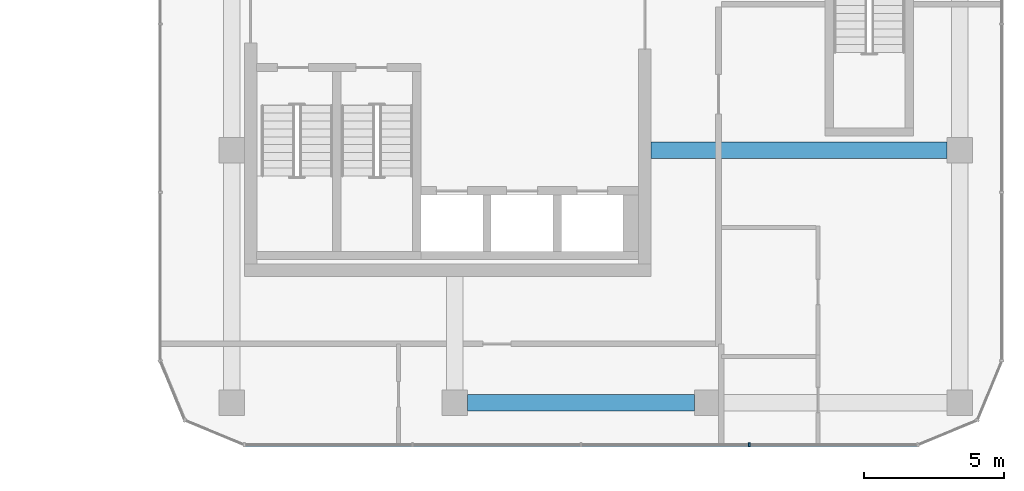
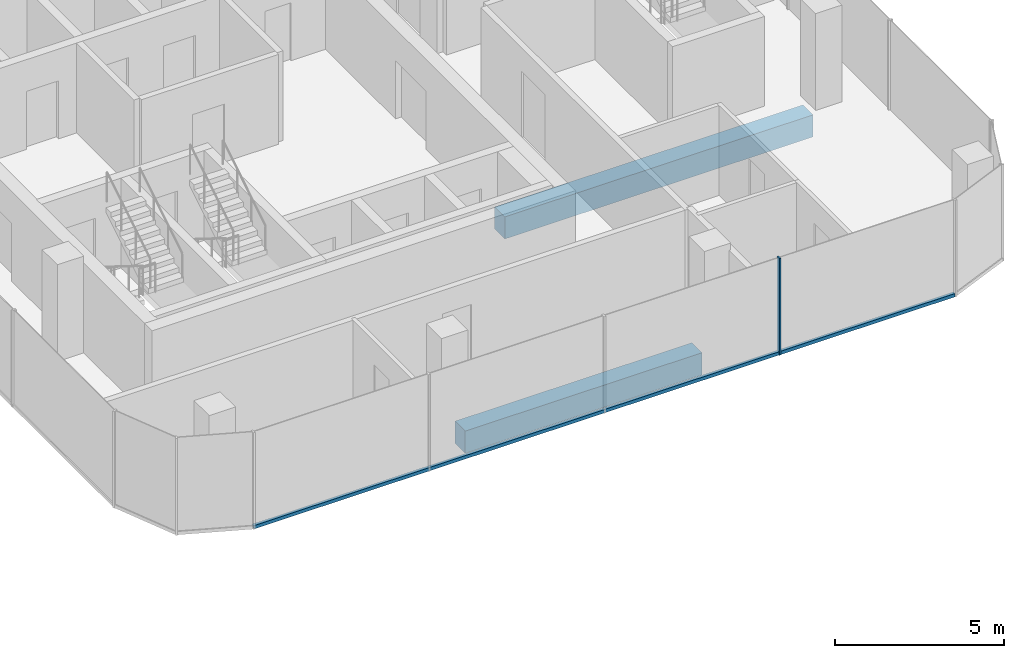
# One storey, part 8 of 23: 2 beams, 2 members, 1 element without a shape of its own.
"""IFC4 building model written with IfcOpenShell, lengths in metres."""

import ifcopenshell
import ifcopenshell.guid

model = None  # the IFC model being written
_history = None  # IfcOwnerHistory: only IFC2X3 demands one
_inside = {}  # id of a spatial element -> (the spatial element, [elements in it])
_under = {}  # id of a project, library or spatial element -> (it, [spatial elements below it])
_declared = {}  # id of a project -> (the project, [libraries it declares])
_typed = {}  # id of a type object -> (the type object, [elements of that type])
_made_of = {}  # id of a material, layer set ... -> (it, [elements and type objects made of it])


def new_model(schema):
    """Start an empty IFC model of exactly this schema.

    Asked for "IFC4X3", IfcOpenShell would pick the latest addendum, in which some entities
    have other attributes; the version numbers below select the first issue.
    IFC2X3 requires an IfcOwnerHistory on every rooted entity: one is made here for all.
    """
    global model, _history
    if schema == "IFC4X3":
        model = ifcopenshell.file(schema_version=(4, 3, 0, 0))
    else:
        model = ifcopenshell.file(schema=schema)
    _inside.clear()
    _under.clear()
    _declared.clear()
    _typed.clear()
    _made_of.clear()
    _history = None
    if model.schema == "IFC2X3":
        org = make("IfcOrganization", Name="unknown")
        user = make(
            "IfcPersonAndOrganization",
            ThePerson=make("IfcPerson", FamilyName="unknown"),
            TheOrganization=org,
        )
        app = make(
            "IfcApplication",
            ApplicationDeveloper=org,
            Version="unknown",
            ApplicationFullName="unknown",
            ApplicationIdentifier="unknown",
        )
        _history = make(
            "IfcOwnerHistory",
            OwningUser=user,
            OwningApplication=app,
            ChangeAction="ADDED",
            CreationDate=0,
        )
    return model


def make(cls, **values):
    """One entity of the class cls with the attributes given. An attribute that is None is left unset."""
    return model.create_entity(
        cls, **{name: value for name, value in values.items() if value is not None}
    )


def rooted(cls, **values):
    """An entity with a GlobalId (a new one), such as an element, a storey or a relation."""
    return make(cls, GlobalId=ifcopenshell.guid.new(), OwnerHistory=_history, **values)


def si_unit(unit_type, name, prefix=None):
    """IfcSIUnit, for example si_unit("LENGTHUNIT", "METRE", prefix="MILLI")."""
    return make("IfcSIUnit", UnitType=unit_type, Prefix=prefix, Name=name)


def assignment(units):
    """IfcUnitAssignment: the units of a project."""
    return None if units is None else make("IfcUnitAssignment", Units=units)


def point(xyz):
    """IfcCartesianPoint."""
    return None if xyz is None else make("IfcCartesianPoint", Coordinates=xyz)


def direction(xyz):
    """IfcDirection."""
    return None if xyz is None else make("IfcDirection", DirectionRatios=xyz)


def frame(location, z_axis=None, x_axis=None):
    """IfcAxis2Placement3D, a coordinate frame: its origin and axes. An axis left out is left unset."""
    return make(
        "IfcAxis2Placement3D",
        Location=point(location),
        Axis=direction(z_axis),
        RefDirection=direction(x_axis),
    )


def frame_2d(location, x_axis=None):
    """IfcAxis2Placement2D, a coordinate frame in the plane: its origin and x axis."""
    return make(
        "IfcAxis2Placement2D", Location=point(location), RefDirection=direction(x_axis)
    )


def origin():
    """The frame at (0, 0, 0) with its axes left unset."""
    return frame((0.0, 0.0, 0.0))


def origin_2d():
    """The frame at (0, 0) in the plane with its x axis left unset."""
    return frame_2d((0.0, 0.0))


def place(relative_to, where):
    """IfcLocalPlacement: puts the frame where relative to a parent placement (None: the world)."""
    return make(
        "IfcLocalPlacement", PlacementRelTo=relative_to, RelativePlacement=where
    )


def context(
    kind, dimensions, precision=None, world=None, true_north=None, identifier=None
):
    """IfcGeometricRepresentationContext, for example the 3D "Model" context."""
    return make(
        "IfcGeometricRepresentationContext",
        ContextIdentifier=identifier,
        ContextType=kind,
        CoordinateSpaceDimension=dimensions,
        Precision=precision,
        WorldCoordinateSystem=world,
        TrueNorth=true_north,
    )


def subcontext(parent, identifier, kind, view, scale=None):
    """IfcGeometricRepresentationSubContext, for example "Body" below "Model"."""
    return make(
        "IfcGeometricRepresentationSubContext",
        ContextIdentifier=identifier,
        ContextType=kind,
        ParentContext=parent,
        TargetScale=scale,
        TargetView=view,
    )


def project(units=None, contexts=None):
    """IfcProject with its units and contexts."""
    return rooted(
        "IfcProject",
        Name="project",
        RepresentationContexts=contexts,
        UnitsInContext=assignment(units),
    )


def spatial(cls, under=None, at=None, **own):
    """A site, building, storey or space (cls), placed at a placement, below another one or the project."""
    s = rooted(cls, ObjectPlacement=at, **own)
    if under is not None:
        _under.setdefault(under.id(), (under, []))[1].append(s)
    return s


def profile(cls, at=None, kind="AREA", **sizes):
    """A parametric profile (cls). Its sizes go by their IFC names, for example OverallWidth=200.0."""
    return make(cls, ProfileType=kind, Position=at, **sizes)


def rectangle(**sizes):
    """IfcRectangleProfileDef."""
    return profile("IfcRectangleProfileDef", **sizes)


def extrude(swept, where, along, depth):
    """IfcExtrudedAreaSolid: the profile swept, set in the frame where, extruded along a direction by depth."""
    return make(
        "IfcExtrudedAreaSolid",
        SweptArea=swept,
        Position=where,
        ExtrudedDirection=direction(along),
        Depth=depth,
    )


def shape(context_of_items, identifier, shape_type, items):
    """IfcShapeRepresentation: the items that make up one representation, for example the "Body"."""
    return make(
        "IfcShapeRepresentation",
        ContextOfItems=context_of_items,
        RepresentationIdentifier=identifier,
        RepresentationType=shape_type,
        Items=items,
    )


def material(Name=None, Category=None):
    """IfcMaterial."""
    return make("IfcMaterial", Name=Name, Category=Category)


def layer(
    of_material, thickness, ventilated=None, Name=None, Category=None, Priority=None
):
    """IfcMaterialLayer: one layer of a wall or slab, of a material (None: an air gap)."""
    return make(
        "IfcMaterialLayer",
        Material=of_material,
        LayerThickness=thickness,
        IsVentilated=ventilated,
        Name=Name,
        Category=Category,
        Priority=Priority,
    )


def layer_set(layers, Name=None):
    """IfcMaterialLayerSet."""
    return make("IfcMaterialLayerSet", MaterialLayers=layers, LayerSetName=Name)


def material_profile(
    of_material, cross_section, Name=None, Category=None, Priority=None
):
    """IfcMaterialProfile: a cross section and its material."""
    return make(
        "IfcMaterialProfile",
        Name=Name,
        Material=of_material,
        Profile=cross_section,
        Priority=Priority,
        Category=Category,
    )


def profile_set(profiles, Name=None, composite=None):
    """IfcMaterialProfileSet."""
    return make(
        "IfcMaterialProfileSet",
        Name=Name,
        MaterialProfiles=profiles,
        CompositeProfile=composite,
    )


def made_of(thing, what):
    """Note that an element or type object is made of a material, layer set ...; save() writes the relation."""
    if what is not None:
        _made_of.setdefault(what.id(), (what, []))[1].append(thing)
    return thing


def type_object(cls, material=None, **own):
    """A type object (cls), such as IfcWallType, which elements share."""
    return made_of(rooted(cls, **own), material)


def element(
    cls,
    number,
    at=None,
    inside=None,
    cuts=None,
    type_object=None,
    material=None,
    context=None,
    identifier="Body",
    shape_type=None,
    held_by="IfcProductDefinitionShape",
    body=None,
    shapes=None,
    **own,
):
    """One element of the class cls, such as IfcWall. Its Tag is "e" and its number.

    at: its placement. inside: the storey or other place that contains it. cuts: it is an
    opening in that element (IfcRelVoidsElement). A single representation is given by context,
    identifier, shape_type and body (its items); several are given by shapes. held_by: the class
    of the entity that holds the representations. save() writes the other relations.
    """
    e = rooted(cls, Tag="e%d" % number, ObjectPlacement=at, **own)
    if body is not None:
        shapes = [shape(context, identifier, shape_type, body)]
    if shapes is not None:
        e.Representation = make(held_by, Representations=shapes)
    if inside is not None:
        _inside.setdefault(inside.id(), (inside, []))[1].append(e)
    if cuts is not None:
        rooted(
            "IfcRelVoidsElement", RelatingBuildingElement=cuts, RelatedOpeningElement=e
        )
    if type_object is not None:
        _typed.setdefault(type_object.id(), (type_object, []))[1].append(e)
    return made_of(e, material)


def aggregate(whole, parts):
    """IfcRelAggregates: a whole, such as a stair, and the parts it consists of."""
    return rooted("IfcRelAggregates", RelatingObject=whole, RelatedObjects=parts)


def save(model, path):
    """Write the relations noted so far, then the file.

    IfcRelAggregates (storeys below a building ...), IfcRelContainedInSpatialStructure (elements
    in a storey), IfcRelDefinesByType, IfcRelAssociatesMaterial and IfcRelDeclares: one each for
    every whole, place, type object, material and project.
    """
    for whole, parts in _under.values():
        aggregate(whole, parts)
    for where, things in _inside.values():
        rooted(
            "IfcRelContainedInSpatialStructure",
            RelatedElements=things,
            RelatingStructure=where,
        )
    for kind, things in _typed.values():
        rooted("IfcRelDefinesByType", RelatedObjects=things, RelatingType=kind)
    for what, things in _made_of.values():
        rooted("IfcRelAssociatesMaterial", RelatedObjects=things, RelatingMaterial=what)
    for by, libraries in _declared.values():
        rooted("IfcRelDeclares", RelatingContext=by, RelatedDefinitions=libraries)
    model.write(path)


model = new_model("IFC4")

# Units and contexts
model_context = context("Model", 3, precision=1e-05, world=origin(), true_north=direction((0.0, 1.0)))
body_context = subcontext(model_context, "Body", "Model", "MODEL_VIEW")
ifc_project = project(units=[si_unit("LENGTHUNIT", "METRE"), si_unit("AREAUNIT", "SQUARE_METRE"), si_unit("VOLUMEUNIT", "CUBIC_METRE"), si_unit("PLANEANGLEUNIT", "RADIAN"), si_unit("MASSUNIT", "GRAM", prefix="KILO")], contexts=[model_context])

# Site, building, storey
site_placement = place(None, origin())
site = spatial("IfcSite", under=ifc_project, at=site_placement, CompositionType="ELEMENT")
building_placement = place(site_placement, origin())
building = spatial("IfcBuilding", under=site, at=building_placement, Name="Plateau Cross Towers", CompositionType="ELEMENT")
storey_placement = place(building_placement, frame((0.0, 0.0, 88.800048828125)))
storey = spatial("IfcBuildingStorey", under=building, at=storey_placement, Name="L22", CompositionType="ELEMENT", Elevation=88.800048828125)

# Beam
ifc_material_1 = material(Name="Concrete C60/75", Category="concrete")
ifc_material_profile_1 = material_profile(ifc_material_1, rectangle(XDim=0.60009765625, YDim=0.800048828125, at=origin_2d()), Name="RC 600x800")
ifc_profile_set_1 = profile_set([ifc_material_profile_1], Name="Concrete C60/75")
beam_type_1 = type_object("IfcBeamType", Name="Core beam RC 600x800", PredefinedType="BEAM", material=ifc_profile_set_1)
beam_1_placement = place(storey_placement, frame((89.5, 4.5, -0.650146484375), z_axis=(1.0, 0.0, 0.0), x_axis=(0.0, 1.0, 0.0)))
element("IfcBeam", 1, at=beam_1_placement, inside=storey, type_object=beam_type_1, Name="B-CB02@L22", PredefinedType="BEAM", context=body_context, shape_type="SweptSolid", body=[
    extrude(rectangle(XDim=0.60009765625, YDim=0.800048828125, at=origin_2d()), origin(), (0.0, 0.0, 1.0), 10.550048828125),
])

# Curtain wall, member
ifc_material_2 = material(Name="Dark low-iron glass", Category="glass")
ifc_layer = layer(ifc_material_2, 0.239990234375)
ifc_layer_set = layer_set([ifc_layer], Name="Dark low-iron glass")
curtain_wall_type = type_object("IfcCurtainWallType", Name="Curtain wall office unitised CW-F", PredefinedType="NOTDEFINED", material=ifc_layer_set)
curtain_wall_placement = place(storey_placement, origin())
curtain_wall = element("IfcCurtainWall", 2, at=curtain_wall_placement, inside=storey, type_object=curtain_wall_type, Name="ENV/B/L22/B750_-60", PredefinedType="NOTDEFINED")
ifc_material_3 = material(Name="Black anodised aluminium", Category="aluminium")
ifc_material_profile_2 = material_profile(ifc_material_3, rectangle(XDim=0.06005859375, YDim=0.139892578125, at=origin_2d()), Name="MULLION 60x140")
ifc_profile_set_2 = profile_set([ifc_material_profile_2], Name="Black anodised aluminium")
member_type_1 = type_object("IfcMemberType", Name="Mullion 60x140 office unitised", PredefinedType="MULLION", material=ifc_profile_set_2)
member_1_placement = place(storey_placement, frame((93.0, -6.0, -0.25), z_axis=(0.0, 0.0, 1.0), x_axis=(1.0, 0.0, 0.0)))
member_1 = element("IfcMember", 3, at=member_1_placement, type_object=member_type_1, Name="CW-F mullion 4", PredefinedType="MULLION", context=body_context, shape_type="SweptSolid", body=[
    extrude(rectangle(XDim=0.06005859375, YDim=0.139892578125, at=origin_2d()), origin(), (0.0, 0.0, 1.0), 3.5),
])

# Beam
ifc_material_profile_3 = material_profile(ifc_material_1, rectangle(XDim=0.60009765625, YDim=0.800048828125, at=origin_2d()), Name="RC 600x800")
ifc_profile_set_3 = profile_set([ifc_material_profile_3], Name="Concrete C60/75")
beam_type_2 = type_object("IfcBeamType", Name="Ring beam RC 600x800", PredefinedType="BEAM", material=ifc_profile_set_3)
beam_2_placement = place(storey_placement, frame((82.949951171875, -4.5, -0.650146484375), z_axis=(1.0, 0.0, 0.0), x_axis=(0.0, 1.0, 0.0)))
element("IfcBeam", 4, at=beam_2_placement, inside=storey, type_object=beam_type_2, Name="B-RB01@L22", PredefinedType="BEAM", context=body_context, shape_type="SweptSolid", body=[
    extrude(rectangle(XDim=0.60009765625, YDim=0.800048828125, at=origin_2d()), origin(), (0.0, 0.0, 1.0), 8.10009765625),
])

# Member
ifc_material_profile_4 = material_profile(ifc_material_3, rectangle(XDim=0.10009765625, YDim=0.1201171875, at=origin_2d()), Name="TRANSOM 100x120")
ifc_profile_set_4 = profile_set([ifc_material_profile_4], Name="Black anodised aluminium")
member_type_2 = type_object("IfcMemberType", Name="Transom 100x120 office unitised", PredefinedType="USERDEFINED", material=ifc_profile_set_4)
member_2_placement = place(storey_placement, frame((75.0, -6.0, -0.18994140625), z_axis=(1.0, 0.0, 0.0), x_axis=(0.0, 1.0, 0.0)))
member_2 = element("IfcMember", 5, at=member_2_placement, type_object=member_type_2, Name="CW-F transom", ObjectType="TRANSOM", PredefinedType="USERDEFINED", context=body_context, shape_type="SweptSolid", body=[
    extrude(rectangle(XDim=0.10009765625, YDim=0.1201171875, at=origin_2d()), origin(), (0.0, 0.0, 1.0), 24.0),
])

aggregate(curtain_wall, [member_1, member_2])

save(model, "model.ifc")
